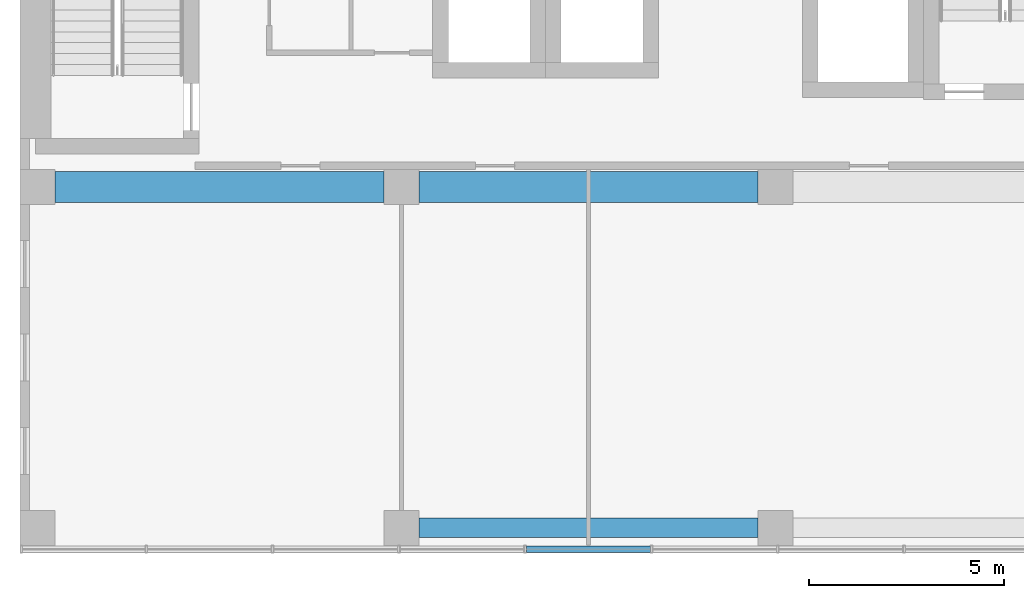
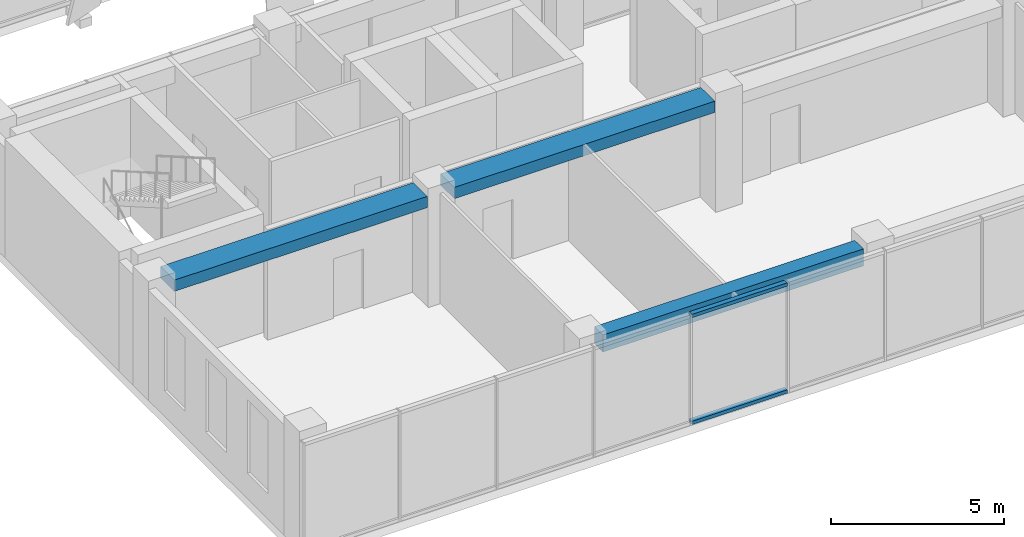
# One storey, part 3 of 38: 3 beams, 2 members, 1 element without a shape of its own.
"""IFC4 building model written with IfcOpenShell, lengths in metres."""

from ifc_helpers import new_model, si_unit, direction, frame, origin, origin_2d, place, context, subcontext, project, spatial, rectangle, hollow_rectangle, extrude, material, layer, layer_set, material_profile, profile_set, type_object, element, aggregate, save


model = new_model("IFC4")

# Units and contexts
model_context = context("Model", 3, precision=1e-05, world=origin(), true_north=direction((0.0, 1.0)))
body_context = subcontext(model_context, "Body", "Model", "MODEL_VIEW")
ifc_project = project(units=[si_unit("LENGTHUNIT", "METRE"), si_unit("AREAUNIT", "SQUARE_METRE"), si_unit("VOLUMEUNIT", "CUBIC_METRE"), si_unit("PLANEANGLEUNIT", "RADIAN"), si_unit("MASSUNIT", "GRAM", prefix="KILO")], contexts=[model_context])

# Site, building, storey
site_placement = place(None, origin())
site = spatial("IfcSite", under=ifc_project, at=site_placement, CompositionType="ELEMENT")
building_placement = place(site_placement, origin())
building = spatial("IfcBuilding", under=site, at=building_placement, Name="Nzadi Deep Aquarium and Research Tower", CompositionType="ELEMENT")
storey_placement = place(building_placement, frame((0.0, 0.0, 52.89990234375)))
storey = spatial("IfcBuildingStorey", under=building, at=storey_placement, Name="L10", CompositionType="ELEMENT", Elevation=52.89990234375)

# Beams
ifc_material_1 = material(Name="Concrete C35/45", Category="concrete")
ifc_material_profile_1 = material_profile(ifc_material_1, rectangle(XDim=0.5, YDim=0.60009765625, at=origin_2d()))
ifc_profile_set_1 = profile_set([ifc_material_profile_1], Name="Concrete C35/45")
beam_type_1 = type_object("IfcBeamType", Name="RC 500x600", PredefinedType="BEAM", material=ifc_profile_set_1)
beam_1_placement = place(storey_placement, frame((10.050048828125, 0.449951171875, 3.60009765625), z_axis=(1.0, 0.0, 0.0), x_axis=(0.0, 1.0, 0.0)))
element("IfcBeam", 1, at=beam_1_placement, inside=storey, type_object=beam_type_1, Name="B-Z1-L10-L1-2", PredefinedType="BEAM", context=body_context, shape_type="SweptSolid", body=[
    extrude(rectangle(XDim=0.5, YDim=0.60009765625, at=origin_2d()), origin(), (0.0, 0.0, 1.0), 8.699951171875),
])
ifc_material_2 = material(Name="Concrete C35/45", Category="concrete")
ifc_material_profile_2 = material_profile(ifc_material_2, rectangle(XDim=0.800048828125, YDim=0.39990234375, at=origin_2d()))
ifc_profile_set_2 = profile_set([ifc_material_profile_2], Name="Concrete C35/45")
beam_type_2 = type_object("IfcBeamType", Name="RC 800x400", PredefinedType="BEAM", material=ifc_profile_set_2)
beam_2_placement = place(storey_placement, frame((0.699951171875, 9.199951171875, 3.7001953125), z_axis=(1.0, 0.0, 0.0), x_axis=(0.0, 1.0, 0.0)))
element("IfcBeam", 2, at=beam_2_placement, inside=storey, type_object=beam_type_2, Name="B-Z1-L10-L2-1", PredefinedType="BEAM", context=body_context, shape_type="SweptSolid", body=[
    extrude(rectangle(XDim=0.800048828125, YDim=0.39990234375, at=origin_2d()), origin(), (0.0, 0.0, 1.0), 8.449951171875),
])
beam_3_placement = place(storey_placement, frame((10.050048828125, 9.199951171875, 3.7001953125), z_axis=(1.0, 0.0, 0.0), x_axis=(0.0, 1.0, 0.0)))
element("IfcBeam", 3, at=beam_3_placement, inside=storey, type_object=beam_type_2, Name="B-Z1-L10-L2-2", PredefinedType="BEAM", context=body_context, shape_type="SweptSolid", body=[
    extrude(rectangle(XDim=0.800048828125, YDim=0.39990234375, at=origin_2d()), origin(), (0.0, 0.0, 1.0), 8.699951171875),
])

# Curtain wall, members
ifc_material_3 = material(Name="Aluminium unitised frame", Category="aluminium")
ifc_layer = layer(ifc_material_3, 0.199951171875)
ifc_layer_set = layer_set([ifc_layer], Name="Aluminium unitised frame")
curtain_wall_type = type_object("IfcCurtainWallType", Name="Curtain wall Unitised 200", PredefinedType="NOTDEFINED", material=ifc_layer_set)
curtain_wall_placement = place(storey_placement, origin())
curtain_wall = element("IfcCurtainWall", 4, at=curtain_wall_placement, inside=storey, type_object=curtain_wall_type, Name="Unitised curtain wall blade A south L10", PredefinedType="NOTDEFINED")
ifc_material_4 = material(Name="Aluminium unitised frame", Category="aluminium")
ifc_material_profile_3 = material_profile(ifc_material_4, hollow_rectangle(XDim=0.159912109375, YDim=0.1201171875, WallThickness=0.0048828125, at=origin_2d()))
ifc_profile_set_3 = profile_set([ifc_material_profile_3], Name="Aluminium unitised frame")
member_type = type_object("IfcMemberType", Name="Transom 120x160 Unitised", PredefinedType="MULLION", material=ifc_profile_set_3)
member_1_placement = place(storey_placement, frame((12.80322265625, -0.10009765625, 0.06005859375), z_axis=(1.0, 0.0, 0.0), x_axis=(0.0, 1.0, 0.0)))
member_1 = element("IfcMember", 5, at=member_1_placement, type_object=member_type, Name="CW036 transom 5.1", PredefinedType="MULLION", context=body_context, shape_type="SweptSolid", body=[
    extrude(hollow_rectangle(XDim=0.159912109375, YDim=0.1201171875, WallThickness=0.0048828125, at=origin_2d()), origin(), (0.0, 0.0, 1.0), 3.183349609375),
])
member_2_placement = place(storey_placement, frame((12.80322265625, -0.10009765625, 3.840087890625), z_axis=(1.0, 0.0, 0.0), x_axis=(0.0, 1.0, 0.0)))
member_2 = element("IfcMember", 6, at=member_2_placement, type_object=member_type, Name="CW036 transom 5.2", PredefinedType="MULLION", context=body_context, shape_type="SweptSolid", body=[
    extrude(hollow_rectangle(XDim=0.159912109375, YDim=0.1201171875, WallThickness=0.0048828125, at=origin_2d()), origin(), (0.0, 0.0, 1.0), 3.183349609375),
])
aggregate(curtain_wall, [member_1, member_2])

save(model, "model.ifc")
